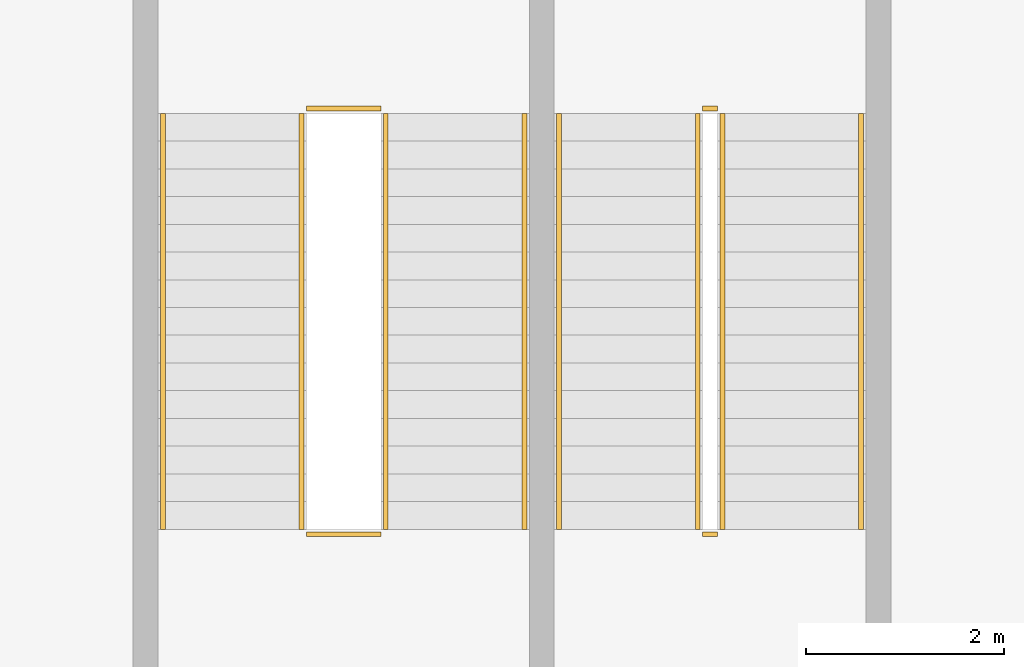
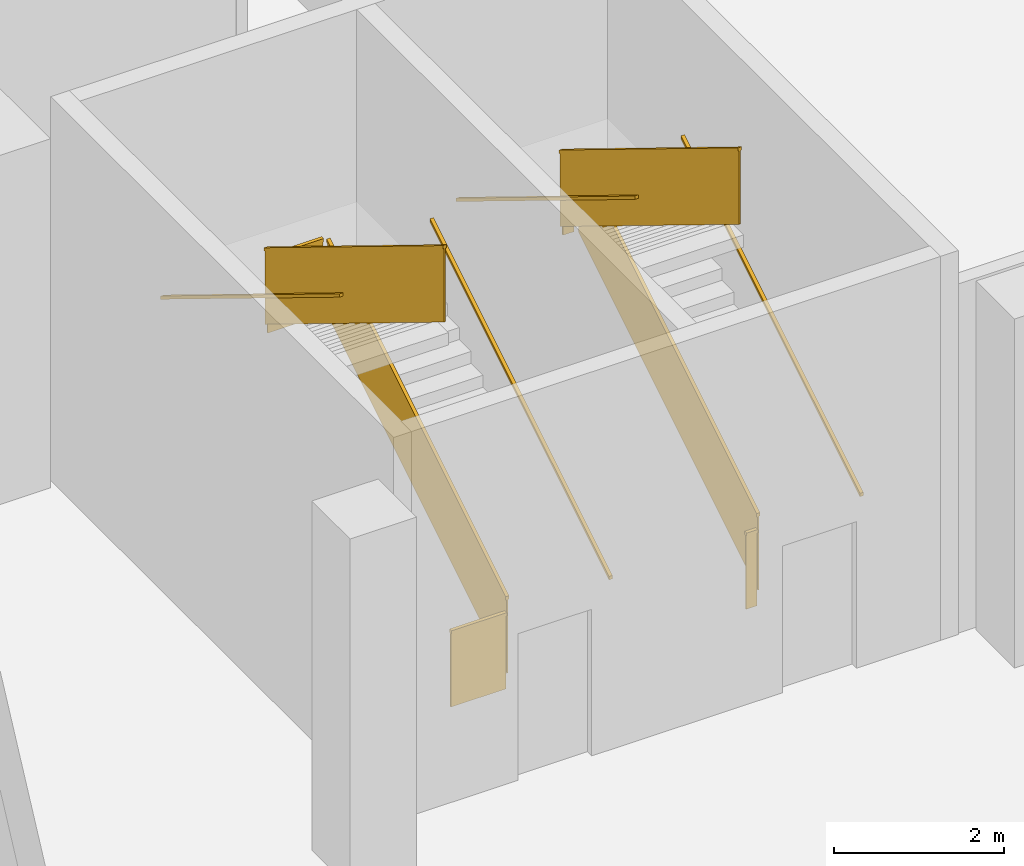
# One storey, part 21 of 23: 12 railings.
"""IFC4 building model written with IfcOpenShell, lengths in metres."""

import ifcopenshell
import ifcopenshell.guid

model = None  # the IFC model being written
_history = None  # IfcOwnerHistory: only IFC2X3 demands one
_inside = {}  # id of a spatial element -> (the spatial element, [elements in it])
_under = {}  # id of a project, library or spatial element -> (it, [spatial elements below it])
_declared = {}  # id of a project -> (the project, [libraries it declares])
_typed = {}  # id of a type object -> (the type object, [elements of that type])
_made_of = {}  # id of a material, layer set ... -> (it, [elements and type objects made of it])


def new_model(schema):
    """Start an empty IFC model of exactly this schema.

    Asked for "IFC4X3", IfcOpenShell would pick the latest addendum, in which some entities
    have other attributes; the version numbers below select the first issue.
    IFC2X3 requires an IfcOwnerHistory on every rooted entity: one is made here for all.
    """
    global model, _history
    if schema == "IFC4X3":
        model = ifcopenshell.file(schema_version=(4, 3, 0, 0))
    else:
        model = ifcopenshell.file(schema=schema)
    _inside.clear()
    _under.clear()
    _declared.clear()
    _typed.clear()
    _made_of.clear()
    _history = None
    if model.schema == "IFC2X3":
        org = make("IfcOrganization", Name="unknown")
        user = make(
            "IfcPersonAndOrganization",
            ThePerson=make("IfcPerson", FamilyName="unknown"),
            TheOrganization=org,
        )
        app = make(
            "IfcApplication",
            ApplicationDeveloper=org,
            Version="unknown",
            ApplicationFullName="unknown",
            ApplicationIdentifier="unknown",
        )
        _history = make(
            "IfcOwnerHistory",
            OwningUser=user,
            OwningApplication=app,
            ChangeAction="ADDED",
            CreationDate=0,
        )
    return model


def make(cls, **values):
    """One entity of the class cls with the attributes given. An attribute that is None is left unset."""
    return model.create_entity(
        cls, **{name: value for name, value in values.items() if value is not None}
    )


def rooted(cls, **values):
    """An entity with a GlobalId (a new one), such as an element, a storey or a relation."""
    return make(cls, GlobalId=ifcopenshell.guid.new(), OwnerHistory=_history, **values)


def si_unit(unit_type, name, prefix=None):
    """IfcSIUnit, for example si_unit("LENGTHUNIT", "METRE", prefix="MILLI")."""
    return make("IfcSIUnit", UnitType=unit_type, Prefix=prefix, Name=name)


def assignment(units):
    """IfcUnitAssignment: the units of a project."""
    return None if units is None else make("IfcUnitAssignment", Units=units)


def point(xyz):
    """IfcCartesianPoint."""
    return None if xyz is None else make("IfcCartesianPoint", Coordinates=xyz)


def direction(xyz):
    """IfcDirection."""
    return None if xyz is None else make("IfcDirection", DirectionRatios=xyz)


def frame(location, z_axis=None, x_axis=None):
    """IfcAxis2Placement3D, a coordinate frame: its origin and axes. An axis left out is left unset."""
    return make(
        "IfcAxis2Placement3D",
        Location=point(location),
        Axis=direction(z_axis),
        RefDirection=direction(x_axis),
    )


def frame_2d(location, x_axis=None):
    """IfcAxis2Placement2D, a coordinate frame in the plane: its origin and x axis."""
    return make(
        "IfcAxis2Placement2D", Location=point(location), RefDirection=direction(x_axis)
    )


def origin():
    """The frame at (0, 0, 0) with its axes left unset."""
    return frame((0.0, 0.0, 0.0))


def origin_2d():
    """The frame at (0, 0) in the plane with its x axis left unset."""
    return frame_2d((0.0, 0.0))


def place(relative_to, where):
    """IfcLocalPlacement: puts the frame where relative to a parent placement (None: the world)."""
    return make(
        "IfcLocalPlacement", PlacementRelTo=relative_to, RelativePlacement=where
    )


def context(
    kind, dimensions, precision=None, world=None, true_north=None, identifier=None
):
    """IfcGeometricRepresentationContext, for example the 3D "Model" context."""
    return make(
        "IfcGeometricRepresentationContext",
        ContextIdentifier=identifier,
        ContextType=kind,
        CoordinateSpaceDimension=dimensions,
        Precision=precision,
        WorldCoordinateSystem=world,
        TrueNorth=true_north,
    )


def subcontext(parent, identifier, kind, view, scale=None):
    """IfcGeometricRepresentationSubContext, for example "Body" below "Model"."""
    return make(
        "IfcGeometricRepresentationSubContext",
        ContextIdentifier=identifier,
        ContextType=kind,
        ParentContext=parent,
        TargetScale=scale,
        TargetView=view,
    )


def project(units=None, contexts=None):
    """IfcProject with its units and contexts."""
    return rooted(
        "IfcProject",
        Name="project",
        RepresentationContexts=contexts,
        UnitsInContext=assignment(units),
    )


def spatial(cls, under=None, at=None, **own):
    """A site, building, storey or space (cls), placed at a placement, below another one or the project."""
    s = rooted(cls, ObjectPlacement=at, **own)
    if under is not None:
        _under.setdefault(under.id(), (under, []))[1].append(s)
    return s


def profile(cls, at=None, kind="AREA", **sizes):
    """A parametric profile (cls). Its sizes go by their IFC names, for example OverallWidth=200.0."""
    return make(cls, ProfileType=kind, Position=at, **sizes)


def rectangle(**sizes):
    """IfcRectangleProfileDef."""
    return profile("IfcRectangleProfileDef", **sizes)


def extrude(swept, where, along, depth):
    """IfcExtrudedAreaSolid: the profile swept, set in the frame where, extruded along a direction by depth."""
    return make(
        "IfcExtrudedAreaSolid",
        SweptArea=swept,
        Position=where,
        ExtrudedDirection=direction(along),
        Depth=depth,
    )


def shape(context_of_items, identifier, shape_type, items):
    """IfcShapeRepresentation: the items that make up one representation, for example the "Body"."""
    return make(
        "IfcShapeRepresentation",
        ContextOfItems=context_of_items,
        RepresentationIdentifier=identifier,
        RepresentationType=shape_type,
        Items=items,
    )


def material(Name=None, Category=None):
    """IfcMaterial."""
    return make("IfcMaterial", Name=Name, Category=Category)


def made_of(thing, what):
    """Note that an element or type object is made of a material, layer set ...; save() writes the relation."""
    if what is not None:
        _made_of.setdefault(what.id(), (what, []))[1].append(thing)
    return thing


def type_object(cls, material=None, **own):
    """A type object (cls), such as IfcWallType, which elements share."""
    return made_of(rooted(cls, **own), material)


def element(
    cls,
    number,
    at=None,
    inside=None,
    cuts=None,
    type_object=None,
    material=None,
    context=None,
    identifier="Body",
    shape_type=None,
    held_by="IfcProductDefinitionShape",
    body=None,
    shapes=None,
    **own,
):
    """One element of the class cls, such as IfcWall. Its Tag is "e" and its number.

    at: its placement. inside: the storey or other place that contains it. cuts: it is an
    opening in that element (IfcRelVoidsElement). A single representation is given by context,
    identifier, shape_type and body (its items); several are given by shapes. held_by: the class
    of the entity that holds the representations. save() writes the other relations.
    """
    e = rooted(cls, Tag="e%d" % number, ObjectPlacement=at, **own)
    if body is not None:
        shapes = [shape(context, identifier, shape_type, body)]
    if shapes is not None:
        e.Representation = make(held_by, Representations=shapes)
    if inside is not None:
        _inside.setdefault(inside.id(), (inside, []))[1].append(e)
    if cuts is not None:
        rooted(
            "IfcRelVoidsElement", RelatingBuildingElement=cuts, RelatedOpeningElement=e
        )
    if type_object is not None:
        _typed.setdefault(type_object.id(), (type_object, []))[1].append(e)
    return made_of(e, material)


def aggregate(whole, parts):
    """IfcRelAggregates: a whole, such as a stair, and the parts it consists of."""
    return rooted("IfcRelAggregates", RelatingObject=whole, RelatedObjects=parts)


def save(model, path):
    """Write the relations noted so far, then the file.

    IfcRelAggregates (storeys below a building ...), IfcRelContainedInSpatialStructure (elements
    in a storey), IfcRelDefinesByType, IfcRelAssociatesMaterial and IfcRelDeclares: one each for
    every whole, place, type object, material and project.
    """
    for whole, parts in _under.values():
        aggregate(whole, parts)
    for where, things in _inside.values():
        rooted(
            "IfcRelContainedInSpatialStructure",
            RelatedElements=things,
            RelatingStructure=where,
        )
    for kind, things in _typed.values():
        rooted("IfcRelDefinesByType", RelatedObjects=things, RelatingType=kind)
    for what, things in _made_of.values():
        rooted("IfcRelAssociatesMaterial", RelatedObjects=things, RelatingMaterial=what)
    for by, libraries in _declared.values():
        rooted("IfcRelDeclares", RelatingContext=by, RelatedDefinitions=libraries)
    model.write(path)


model = new_model("IFC4")

# Units and contexts
model_context = context("Model", 3, precision=1e-05, world=origin(), true_north=direction((0.0, 1.0)))
body_context = subcontext(model_context, "Body", "Model", "MODEL_VIEW")
ifc_project = project(units=[si_unit("LENGTHUNIT", "METRE"), si_unit("AREAUNIT", "SQUARE_METRE"), si_unit("VOLUMEUNIT", "CUBIC_METRE"), si_unit("PLANEANGLEUNIT", "RADIAN"), si_unit("MASSUNIT", "GRAM", prefix="KILO")], contexts=[model_context])

# Site, building, storey
site_placement = place(None, origin())
site = spatial("IfcSite", under=ifc_project, at=site_placement, CompositionType="ELEMENT")
building_placement = place(site_placement, origin())
building = spatial("IfcBuilding", under=site, at=building_placement, Name="Mirante Cascada Hotel Towers", CompositionType="ELEMENT")
storey_placement = place(building_placement, frame((0.0, 0.0, 23.5)))
storey = spatial("IfcBuildingStorey", under=building, at=storey_placement, Name="L03", CompositionType="ELEMENT", Elevation=23.5)

# Railings
ifc_material_1 = material(Name="Painted steel", Category="steel")
railing_type_1 = type_object("IfcRailingType", Name="Podium stair guard 1100 steel balustrade", PredefinedType="GUARDRAIL", material=ifc_material_1)
railing_1_placement = place(storey_placement, frame((-20.375, -15.775, 0.1719)))
element("IfcRailing", 1, at=railing_1_placement, inside=storey, type_object=railing_type_1, Name="L03 PS1 stair guard 1", PredefinedType="GUARDRAIL", context=body_context, shape_type="SweptSolid", body=[
    extrude(rectangle(XDim=0.048, YDim=0.048, at=origin_2d()), frame((0.0, 0.0, 1.076), z_axis=(0.0, 1.0, 0.0), x_axis=(-1.0, 0.0, 0.0)), (0.0, 0.5231382, 0.8522479), 4.9281),
    extrude(rectangle(XDim=0.02, YDim=1.052, at=origin_2d()), frame((0.0, 0.0, 0.526), z_axis=(0.0, 1.0, 0.0), x_axis=(-1.0, 0.0, 0.0)), (0.0, 0.5231382, 0.8522479), 4.9281),
])
railing_2_placement = place(storey_placement, frame((-20.425, -11.525, 2.75)))
element("IfcRailing", 2, at=railing_2_placement, inside=storey, type_object=railing_type_1, Name="L03 PS1 stair guard 2", PredefinedType="GUARDRAIL", context=body_context, shape_type="SweptSolid", body=[
    extrude(rectangle(XDim=0.048, YDim=0.048, at=origin_2d()), frame((0.0, 0.0, 1.076), z_axis=(-1.0, 0.0, 0.0), x_axis=(0.0, -1.0, 0.0)), (0.0, 0.0, 1.0), 0.15),
    extrude(rectangle(XDim=0.02, YDim=1.052, at=origin_2d()), frame((0.0, 0.0, 0.526), z_axis=(-1.0, 0.0, 0.0), x_axis=(0.0, -1.0, 0.0)), (0.0, 0.0, 1.0), 0.15),
])
railing_3_placement = place(storey_placement, frame((-20.625, -11.575, 2.9219)))
element("IfcRailing", 3, at=railing_3_placement, inside=storey, type_object=railing_type_1, Name="L03 PS1 stair guard 3", PredefinedType="GUARDRAIL", context=body_context, shape_type="SweptSolid", body=[
    extrude(rectangle(XDim=0.048, YDim=0.048, at=origin_2d()), frame((0.0, 0.0, 1.076), z_axis=(0.0, -1.0, 0.0), x_axis=(1.0, 0.0, 0.0)), (0.0, 0.5231382, 0.8522479), 4.9281),
    extrude(rectangle(XDim=0.02, YDim=1.052, at=origin_2d()), frame((0.0, 0.0, 0.526), z_axis=(0.0, -1.0, 0.0), x_axis=(1.0, 0.0, 0.0)), (0.0, 0.5231382, 0.8522479), 4.9281),
])
railing_4_placement = place(storey_placement, frame((-20.425, -15.825, 0.0)))
element("IfcRailing", 4, at=railing_4_placement, inside=storey, type_object=railing_type_1, Name="L03 PS1 stair guard 4", PredefinedType="GUARDRAIL", context=body_context, shape_type="SweptSolid", body=[
    extrude(rectangle(XDim=0.048, YDim=0.048, at=origin_2d()), frame((0.0, 0.0, 1.076), z_axis=(-1.0, 0.0, 0.0), x_axis=(0.0, -1.0, 0.0)), (0.0, 0.0, 1.0), 0.15),
    extrude(rectangle(XDim=0.02, YDim=1.052, at=origin_2d()), frame((0.0, 0.0, 0.526), z_axis=(-1.0, 0.0, 0.0), x_axis=(0.0, -1.0, 0.0)), (0.0, 0.0, 1.0), 0.15),
])
railing_5_placement = place(storey_placement, frame((-23.775, -15.775, 0.1719)))
element("IfcRailing", 5, at=railing_5_placement, inside=storey, type_object=railing_type_1, Name="L03 PS3 stair guard 1", PredefinedType="GUARDRAIL", context=body_context, shape_type="SweptSolid", body=[
    extrude(rectangle(XDim=0.048, YDim=0.048, at=origin_2d()), frame((0.0, 0.0, 1.076), z_axis=(0.0, 1.0, 0.0), x_axis=(-1.0, 0.0, 0.0)), (0.0, 0.5231382, 0.8522479), 4.9281),
    extrude(rectangle(XDim=0.02, YDim=1.052, at=origin_2d()), frame((0.0, 0.0, 0.526), z_axis=(0.0, 1.0, 0.0), x_axis=(-1.0, 0.0, 0.0)), (0.0, 0.5231382, 0.8522479), 4.9281),
])
railing_6_placement = place(storey_placement, frame((-23.825, -11.525, 2.75)))
element("IfcRailing", 6, at=railing_6_placement, inside=storey, type_object=railing_type_1, Name="L03 PS3 stair guard 2", PredefinedType="GUARDRAIL", context=body_context, shape_type="SweptSolid", body=[
    extrude(rectangle(XDim=0.048, YDim=0.048, at=origin_2d()), frame((0.0, 0.0, 1.076), z_axis=(-1.0, 0.0, 0.0), x_axis=(0.0, -1.0, 0.0)), (0.0, 0.0, 1.0), 0.75),
    extrude(rectangle(XDim=0.02, YDim=1.052, at=origin_2d()), frame((0.0, 0.0, 0.526), z_axis=(-1.0, 0.0, 0.0), x_axis=(0.0, -1.0, 0.0)), (0.0, 0.0, 1.0), 0.75),
])
railing_7_placement = place(storey_placement, frame((-24.625, -11.575, 2.9219)))
element("IfcRailing", 7, at=railing_7_placement, inside=storey, type_object=railing_type_1, Name="L03 PS3 stair guard 3", PredefinedType="GUARDRAIL", context=body_context, shape_type="SweptSolid", body=[
    extrude(rectangle(XDim=0.048, YDim=0.048, at=origin_2d()), frame((0.0, 0.0, 1.076), z_axis=(0.0, -1.0, 0.0), x_axis=(1.0, 0.0, 0.0)), (0.0, 0.5231382, 0.8522479), 4.9281),
    extrude(rectangle(XDim=0.02, YDim=1.052, at=origin_2d()), frame((0.0, 0.0, 0.526), z_axis=(0.0, -1.0, 0.0), x_axis=(1.0, 0.0, 0.0)), (0.0, 0.5231382, 0.8522479), 4.9281),
])
railing_8_placement = place(storey_placement, frame((-23.825, -15.825, 0.0)))
element("IfcRailing", 8, at=railing_8_placement, inside=storey, type_object=railing_type_1, Name="L03 PS3 stair guard 4", PredefinedType="GUARDRAIL", context=body_context, shape_type="SweptSolid", body=[
    extrude(rectangle(XDim=0.048, YDim=0.048, at=origin_2d()), frame((0.0, 0.0, 1.076), z_axis=(-1.0, 0.0, 0.0), x_axis=(0.0, -1.0, 0.0)), (0.0, 0.0, 1.0), 0.75),
    extrude(rectangle(XDim=0.02, YDim=1.052, at=origin_2d()), frame((0.0, 0.0, 0.526), z_axis=(-1.0, 0.0, 0.0), x_axis=(0.0, -1.0, 0.0)), (0.0, 0.0, 1.0), 0.75),
])
ifc_material_2 = material(Name="Painted steel", Category="steel")
railing_type_2 = type_object("IfcRailingType", Name="Podium stair handrail 900 steel tube", PredefinedType="HANDRAIL", material=ifc_material_2)
railing_9_placement = place(storey_placement, frame((-18.975, -15.775, 0.1719)))
element("IfcRailing", 9, at=railing_9_placement, inside=storey, type_object=railing_type_2, Name="L03 PS1 stair handrail 1", PredefinedType="HANDRAIL", context=body_context, shape_type="SweptSolid", body=[
    extrude(rectangle(XDim=0.048, YDim=0.048, at=origin_2d()), frame((0.0, 0.0, 0.876), z_axis=(0.0, 1.0, 0.0), x_axis=(-1.0, 0.0, 0.0)), (0.0, 0.5231382, 0.8522479), 4.9281),
])
railing_10_placement = place(storey_placement, frame((-22.025, -11.575, 2.9219)))
element("IfcRailing", 10, at=railing_10_placement, inside=storey, type_object=railing_type_2, Name="L03 PS1 stair handrail 2", PredefinedType="HANDRAIL", context=body_context, shape_type="SweptSolid", body=[
    extrude(rectangle(XDim=0.048, YDim=0.048, at=origin_2d()), frame((0.0, 0.0, 0.876), z_axis=(0.0, -1.0, 0.0), x_axis=(1.0, 0.0, 0.0)), (0.0, 0.5231382, 0.8522479), 4.9281),
])
railing_11_placement = place(storey_placement, frame((-22.375, -15.775, 0.1719)))
element("IfcRailing", 11, at=railing_11_placement, inside=storey, type_object=railing_type_2, Name="L03 PS3 stair handrail 1", PredefinedType="HANDRAIL", context=body_context, shape_type="SweptSolid", body=[
    extrude(rectangle(XDim=0.048, YDim=0.048, at=origin_2d()), frame((0.0, 0.0, 0.876), z_axis=(0.0, 1.0, 0.0), x_axis=(-1.0, 0.0, 0.0)), (0.0, 0.5231382, 0.8522479), 4.9281),
])
railing_12_placement = place(storey_placement, frame((-26.025, -11.575, 2.9219)))
element("IfcRailing", 12, at=railing_12_placement, inside=storey, type_object=railing_type_2, Name="L03 PS3 stair handrail 2", PredefinedType="HANDRAIL", context=body_context, shape_type="SweptSolid", body=[
    extrude(rectangle(XDim=0.048, YDim=0.048, at=origin_2d()), frame((0.0, 0.0, 0.876), z_axis=(0.0, -1.0, 0.0), x_axis=(1.0, 0.0, 0.0)), (0.0, 0.5231382, 0.8522479), 4.9281),
])

save(model, "model.ifc")
